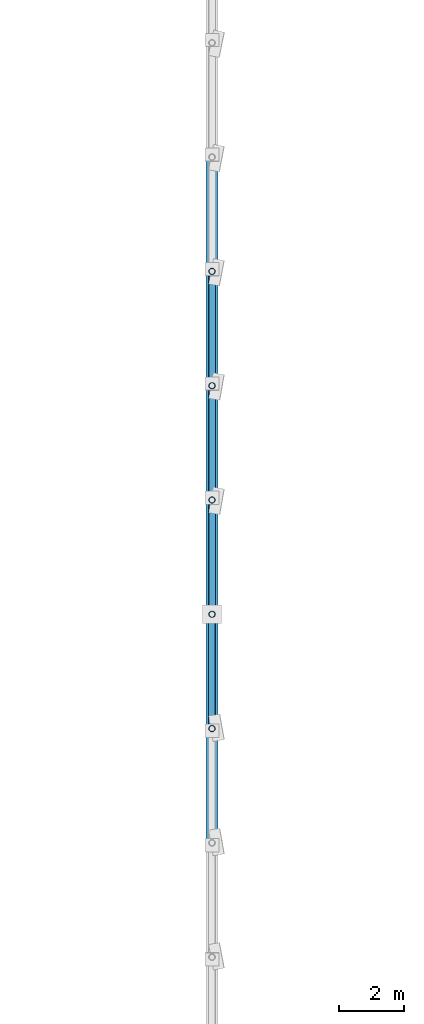
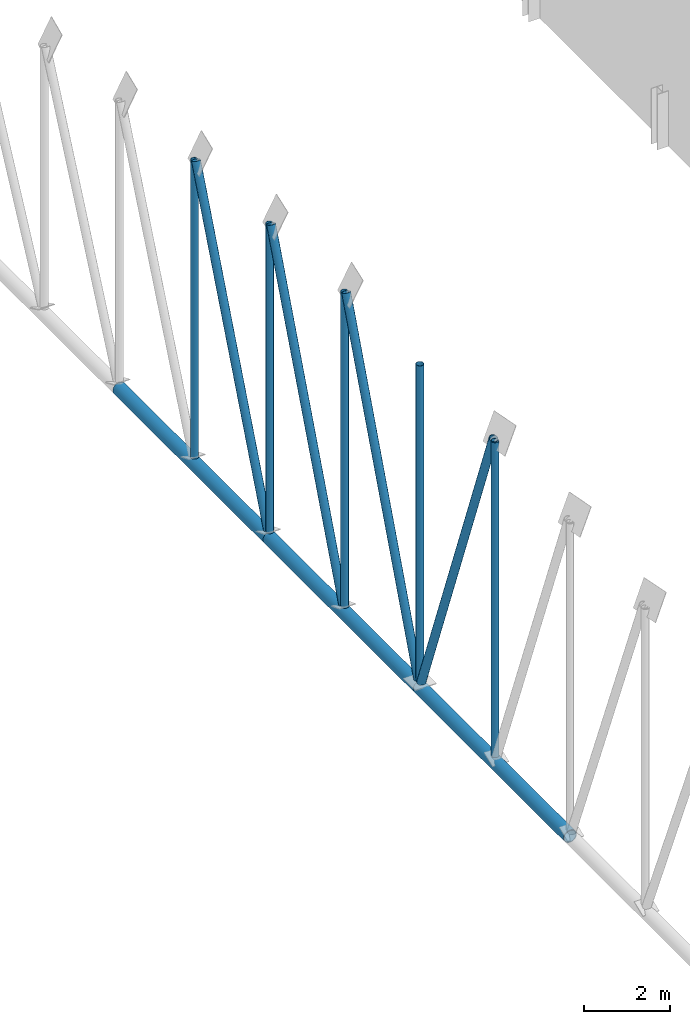
# One storey, part 84 of 196: 12 members.
"""IFC4 building model written with IfcOpenShell, lengths in metres."""

from ifc_helpers import new_model, si_unit, direction, frame, origin, origin_2d, place, context, subcontext, project, spatial, hollow_circle, extrude, material, material_profile, profile_set, type_object, element, save


model = new_model("IFC4")

# Units and contexts
model_context = context("Model", 3, precision=1e-05, world=origin(), true_north=direction((0.0, 1.0)))
body_context = subcontext(model_context, "Body", "Model", "MODEL_VIEW")
ifc_project = project(units=[si_unit("LENGTHUNIT", "METRE"), si_unit("AREAUNIT", "SQUARE_METRE"), si_unit("VOLUMEUNIT", "CUBIC_METRE"), si_unit("PLANEANGLEUNIT", "RADIAN"), si_unit("MASSUNIT", "GRAM", prefix="KILO")], contexts=[model_context])

# Site, building, storey
site_placement = place(None, origin())
site = spatial("IfcSite", under=ifc_project, at=site_placement, CompositionType="ELEMENT")
building_placement = place(site_placement, origin())
building = spatial("IfcBuilding", under=site, at=building_placement, Name="Okhra Congress Centre", CompositionType="ELEMENT")
storey_placement = place(building_placement, frame((0.0, 0.0, 12.0)))
storey = spatial("IfcBuildingStorey", under=building, at=storey_placement, Name="L02", CompositionType="ELEMENT", Elevation=12.0)

# Members
ifc_material = material(Name="Steel S355J2H", Category="steel")
ifc_material_profile_1 = material_profile(ifc_material, hollow_circle(Radius=0.096923828125, WallThickness=0.008056640625, at=origin_2d()), Name="CHS 193.7x8.0")
ifc_profile_set_1 = profile_set([ifc_material_profile_1], Name="Steel S355J2H")
member_type_1 = type_object("IfcMemberType", Name="CHS 193.7x8.0", PredefinedType="POST", material=ifc_profile_set_1)
member_1_placement = place(storey_placement, frame((136.0, 170.5, 1.577880859375), z_axis=(0.0, 0.0, 1.0), x_axis=(1.0, 0.0, 0.0)))
element("IfcMember", 1, at=member_1_placement, inside=storey, type_object=member_type_1, Name="EH.MEM.L02.T7-VER-11", PredefinedType="POST", context=body_context, shape_type="SweptSolid", body=[
    extrude(hollow_circle(Radius=0.096923828125, WallThickness=0.008056640625, at=origin_2d()), origin(), (0.0, 0.0, 1.0), 8.95654296875),
])
member_2_placement = place(storey_placement, frame((136.0, 174.0, 1.577880859375), z_axis=(0.0, 0.0, 1.0), x_axis=(1.0, 0.0, 0.0)))
element("IfcMember", 2, at=member_2_placement, inside=storey, type_object=member_type_1, Name="EH.MEM.L02.T7-VER-12", PredefinedType="POST", context=body_context, shape_type="SweptSolid", body=[
    extrude(hollow_circle(Radius=0.096923828125, WallThickness=0.008056640625, at=origin_2d()), origin(), (0.0, 0.0, 1.0), 9.018798828125),
])
member_3_placement = place(storey_placement, frame((136.0, 177.5, 1.577880859375), z_axis=(0.0, 0.0, 1.0), x_axis=(1.0, 0.0, 0.0)))
element("IfcMember", 3, at=member_3_placement, inside=storey, type_object=member_type_1, Name="EH.MEM.L02.T7-VER-13", PredefinedType="POST", context=body_context, shape_type="SweptSolid", body=[
    extrude(hollow_circle(Radius=0.096923828125, WallThickness=0.008056640625, at=origin_2d()), origin(), (0.0, 0.0, 1.0), 8.95654296875),
])
member_4_placement = place(storey_placement, frame((136.0, 181.0, 1.577880859375), z_axis=(0.0, 0.0, 1.0), x_axis=(1.0, 0.0, 0.0)))
element("IfcMember", 4, at=member_4_placement, inside=storey, type_object=member_type_1, Name="EH.MEM.L02.T7-VER-14", PredefinedType="POST", context=body_context, shape_type="SweptSolid", body=[
    extrude(hollow_circle(Radius=0.096923828125, WallThickness=0.008056640625, at=origin_2d()), origin(), (0.0, 0.0, 1.0), 8.76953125),
])
member_5_placement = place(storey_placement, frame((136.0, 184.5, 1.577880859375), z_axis=(0.0, 0.0, 1.0), x_axis=(1.0, 0.0, 0.0)))
element("IfcMember", 5, at=member_5_placement, inside=storey, type_object=member_type_1, Name="EH.MEM.L02.T7-VER-15", PredefinedType="POST", context=body_context, shape_type="SweptSolid", body=[
    extrude(hollow_circle(Radius=0.096923828125, WallThickness=0.008056640625, at=origin_2d()), origin(), (0.0, 0.0, 1.0), 8.456787109375),
])
ifc_material_profile_2 = material_profile(ifc_material, hollow_circle(Radius=0.109619140625, WallThickness=0.010009765625, at=origin_2d()), Name="CHS 219.1x10.0")
ifc_profile_set_2 = profile_set([ifc_material_profile_2], Name="Steel S355J2H")
member_type_2 = type_object("IfcMemberType", Name="CHS 219.1x10.0", PredefinedType="BRACE", material=ifc_profile_set_2)
for number, where, z_axis, x_axis, name in (
    (6, (136.0, 170.568359375, 10.55517578125), (0.0, 0.35098669327, -0.936380446799), (-1.0, 0.0, 0.0), "EH.MEM.L02.T7-DIA-11"),
    (7, (136.0, 177.431640625, 10.55517578125), (0.0, -0.35098669327, -0.936380446799), (1.0, 0.0, 0.0), "EH.MEM.L02.T7-DIA-12"),
):
    element("IfcMember", number, at=place(storey_placement, frame(where, z_axis=z_axis, x_axis=x_axis)), inside=storey, type_object=member_type_2, Name=name, PredefinedType="BRACE", context=body_context, shape_type="SweptSolid", body=[
        extrude(hollow_circle(Radius=0.109619140625, WallThickness=0.010009765625, at=origin_2d()), origin(), (0.0, 0.0, 1.0), 9.587158203125),
    ])
member_6_placement = place(storey_placement, frame((136.0, 180.930908203125, 10.37060546875), z_axis=(0.0, -0.357217988255, -0.934021043054), x_axis=(1.0, 0.0, 0.0)))
element("IfcMember", 8, at=member_6_placement, inside=storey, type_object=member_type_2, Name="EH.MEM.L02.T7-DIA-13", PredefinedType="BRACE", context=body_context, shape_type="SweptSolid", body=[
    extrude(hollow_circle(Radius=0.109619140625, WallThickness=0.010009765625, at=origin_2d()), origin(), (0.0, 0.0, 1.0), 9.413818359375),
])
member_7_placement = place(storey_placement, frame((136.0, 184.429443359375, 10.060546875), z_axis=(0.0, -0.368181952794, -0.929753757528), x_axis=(1.0, 0.0, 0.0)))
element("IfcMember", 9, at=member_7_placement, inside=storey, type_object=member_type_2, Name="EH.MEM.L02.T7-DIA-14", PredefinedType="BRACE", context=body_context, shape_type="SweptSolid", body=[
    extrude(hollow_circle(Radius=0.109619140625, WallThickness=0.010009765625, at=origin_2d()), origin(), (0.0, 0.0, 1.0), 9.12353515625),
])
ifc_material_profile_3 = material_profile(ifc_material, hollow_circle(Radius=0.177734375, WallThickness=0.02001953125, at=origin_2d()), Name="CHS 355.6x20.0")
ifc_profile_set_3 = profile_set([ifc_material_profile_3], Name="Steel S355J2H")
member_type_3 = type_object("IfcMemberType", Name="CHS 355.6x20.0", PredefinedType="CHORD", material=ifc_profile_set_3)
for number, where, z_axis, x_axis, name in (
    (10, (136.0, 167.0, 1.39990234375), (0.0, 1.0, 0.0), (-1.0, 0.0, 0.0), "EH.MEM.L02.T7-BOT-06"),
    (11, (136.0, 174.0, 1.39990234375), (0.0, 1.0, 0.0), (-1.0, 0.0, 0.0), "EH.MEM.L02.T7-BOT-07"),
    (12, (136.0, 181.0, 1.39990234375), (0.0, 1.0, 0.0), (-1.0, 0.0, 0.0), "EH.MEM.L02.T7-BOT-08"),
):
    element("IfcMember", number, at=place(storey_placement, frame(where, z_axis=z_axis, x_axis=x_axis)), inside=storey, type_object=member_type_3, Name=name, PredefinedType="CHORD", context=body_context, shape_type="SweptSolid", body=[
        extrude(hollow_circle(Radius=0.177734375, WallThickness=0.02001953125, at=origin_2d()), origin(), (0.0, 0.0, 1.0), 7.0),
    ])

save(model, "model.ifc")
